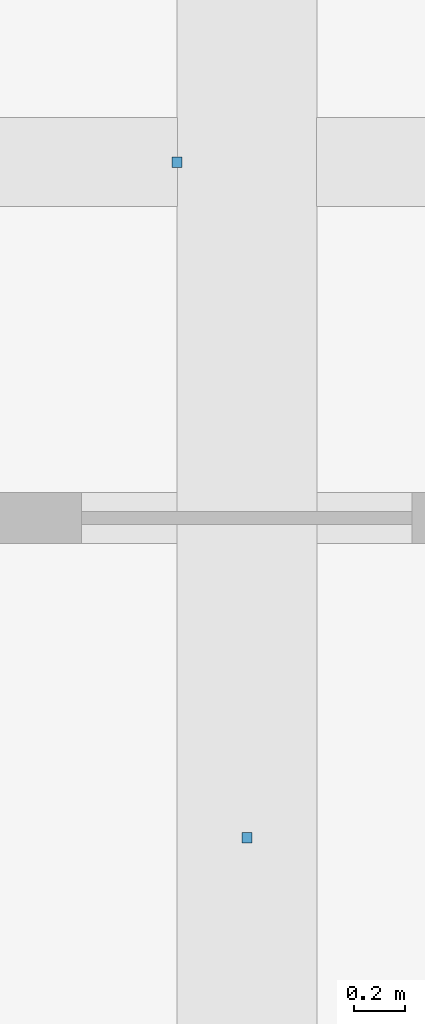
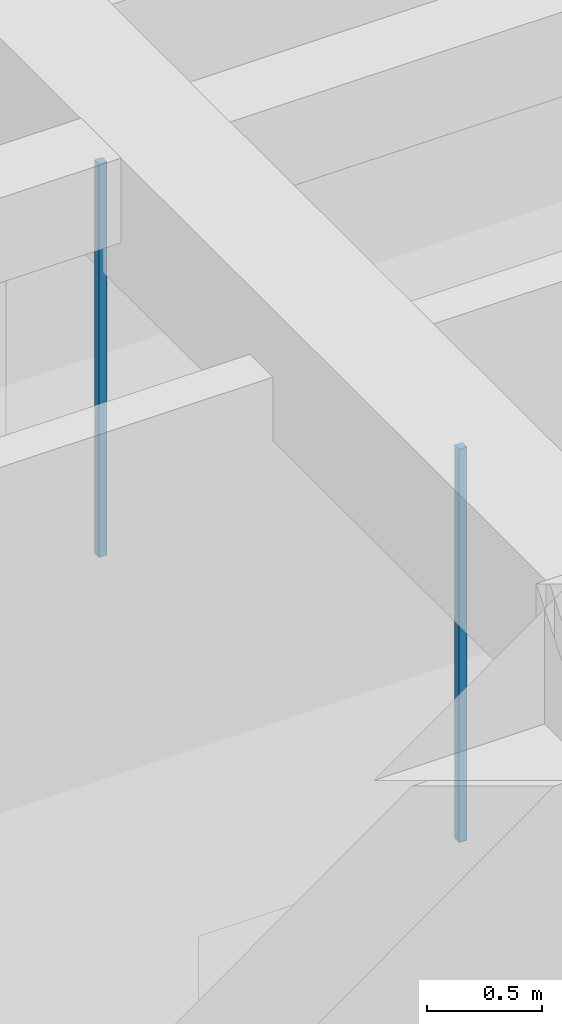
# One storey, part 85 of 167: 2 discrete accessories.
"""IFC4 building model written with IfcOpenShell, lengths in metres."""

from ifc_helpers import new_model, si_unit, direction, frame, origin, origin_2d, place, context, subcontext, project, spatial, rectangle, extrude, material, type_object, element, save


model = new_model("IFC4")

# Units and contexts
model_context = context("Model", 3, precision=1e-05, world=origin(), true_north=direction((0.0, 1.0)))
body_context = subcontext(model_context, "Body", "Model", "MODEL_VIEW")
ifc_project = project(units=[si_unit("LENGTHUNIT", "METRE"), si_unit("AREAUNIT", "SQUARE_METRE"), si_unit("VOLUMEUNIT", "CUBIC_METRE"), si_unit("PLANEANGLEUNIT", "RADIAN"), si_unit("MASSUNIT", "GRAM", prefix="KILO")], contexts=[model_context])

# Site, building, storey
site_placement = place(None, origin())
site = spatial("IfcSite", under=ifc_project, at=site_placement, CompositionType="ELEMENT")
building_placement = place(site_placement, origin())
building = spatial("IfcBuilding", under=site, at=building_placement, Name="Varncliffe General Hospital", CompositionType="ELEMENT")
storey_placement = place(building_placement, origin())
storey = spatial("IfcBuildingStorey", under=building, at=storey_placement, Name="L00", CompositionType="ELEMENT", Elevation=0.0)

# Discrete accessories
ifc_material = material(Name="Powder-coated hospital steel guardrail and handrail", Category="steel")
discrete_accessory_type = type_object("IfcDiscreteAccessoryType", Name="Suspended Ceiling Hanger Bracket CH01", PredefinedType="BRACKET", material=ifc_material)
for number, where, z_axis, x_axis, name in (
    (1, (41.72509765625, 28.199951171875, 3.18994140625), (0.0, 0.0, 1.0), (1.0, 0.0, 0.0), "L00 Suspended Ceiling Hanger 9"),
    (2, (42.0, 25.54248046875, 3.18994140625), (0.0, 0.0, 1.0), (1.0, 0.0, 0.0), "L00 Suspended Ceiling Hanger 26"),
):
    element("IfcDiscreteAccessory", number, at=place(storey_placement, frame(where, z_axis=z_axis, x_axis=x_axis)), inside=storey, type_object=discrete_accessory_type, Name=name, PredefinedType="BRACKET", context=body_context, shape_type="SweptSolid", body=[
        extrude(rectangle(XDim=0.0400390625, YDim=0.0400390625, at=origin_2d()), origin(), (0.0, 0.0, 1.0), 2.090087890625),
    ])

save(model, "model.ifc")
